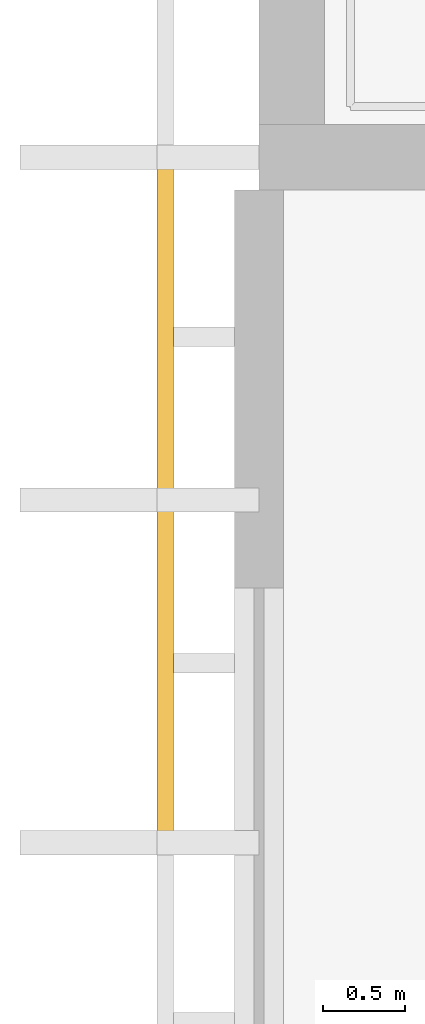
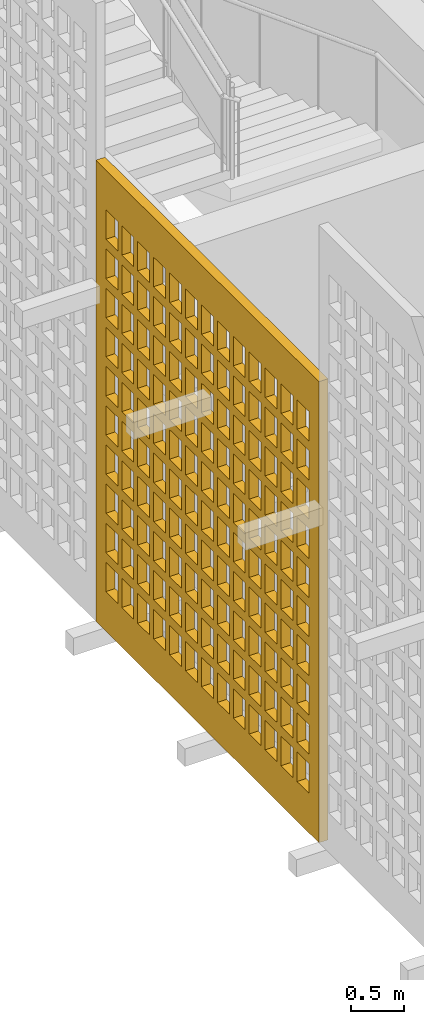
# One storey, part 8 of 23: 1 shading device, 1 opening.
"""IFC4 building model written with IfcOpenShell, lengths in metres."""

import ifcopenshell
import ifcopenshell.guid

model = None  # the IFC model being written
_history = None  # IfcOwnerHistory: only IFC2X3 demands one
_inside = {}  # id of a spatial element -> (the spatial element, [elements in it])
_under = {}  # id of a project, library or spatial element -> (it, [spatial elements below it])
_declared = {}  # id of a project -> (the project, [libraries it declares])
_typed = {}  # id of a type object -> (the type object, [elements of that type])
_made_of = {}  # id of a material, layer set ... -> (it, [elements and type objects made of it])


def new_model(schema):
    """Start an empty IFC model of exactly this schema.

    Asked for "IFC4X3", IfcOpenShell would pick the latest addendum, in which some entities
    have other attributes; the version numbers below select the first issue.
    IFC2X3 requires an IfcOwnerHistory on every rooted entity: one is made here for all.
    """
    global model, _history
    if schema == "IFC4X3":
        model = ifcopenshell.file(schema_version=(4, 3, 0, 0))
    else:
        model = ifcopenshell.file(schema=schema)
    _inside.clear()
    _under.clear()
    _declared.clear()
    _typed.clear()
    _made_of.clear()
    _history = None
    if model.schema == "IFC2X3":
        org = make("IfcOrganization", Name="unknown")
        user = make(
            "IfcPersonAndOrganization",
            ThePerson=make("IfcPerson", FamilyName="unknown"),
            TheOrganization=org,
        )
        app = make(
            "IfcApplication",
            ApplicationDeveloper=org,
            Version="unknown",
            ApplicationFullName="unknown",
            ApplicationIdentifier="unknown",
        )
        _history = make(
            "IfcOwnerHistory",
            OwningUser=user,
            OwningApplication=app,
            ChangeAction="ADDED",
            CreationDate=0,
        )
    return model


def make(cls, **values):
    """One entity of the class cls with the attributes given. An attribute that is None is left unset."""
    return model.create_entity(
        cls, **{name: value for name, value in values.items() if value is not None}
    )


def rooted(cls, **values):
    """An entity with a GlobalId (a new one), such as an element, a storey or a relation."""
    return make(cls, GlobalId=ifcopenshell.guid.new(), OwnerHistory=_history, **values)


def si_unit(unit_type, name, prefix=None):
    """IfcSIUnit, for example si_unit("LENGTHUNIT", "METRE", prefix="MILLI")."""
    return make("IfcSIUnit", UnitType=unit_type, Prefix=prefix, Name=name)


def assignment(units):
    """IfcUnitAssignment: the units of a project."""
    return None if units is None else make("IfcUnitAssignment", Units=units)


def point(xyz):
    """IfcCartesianPoint."""
    return None if xyz is None else make("IfcCartesianPoint", Coordinates=xyz)


def direction(xyz):
    """IfcDirection."""
    return None if xyz is None else make("IfcDirection", DirectionRatios=xyz)


def frame(location, z_axis=None, x_axis=None):
    """IfcAxis2Placement3D, a coordinate frame: its origin and axes. An axis left out is left unset."""
    return make(
        "IfcAxis2Placement3D",
        Location=point(location),
        Axis=direction(z_axis),
        RefDirection=direction(x_axis),
    )


def frame_2d(location, x_axis=None):
    """IfcAxis2Placement2D, a coordinate frame in the plane: its origin and x axis."""
    return make(
        "IfcAxis2Placement2D", Location=point(location), RefDirection=direction(x_axis)
    )


def origin():
    """The frame at (0, 0, 0) with its axes left unset."""
    return frame((0.0, 0.0, 0.0))


def origin_2d():
    """The frame at (0, 0) in the plane with its x axis left unset."""
    return frame_2d((0.0, 0.0))


def place(relative_to, where):
    """IfcLocalPlacement: puts the frame where relative to a parent placement (None: the world)."""
    return make(
        "IfcLocalPlacement", PlacementRelTo=relative_to, RelativePlacement=where
    )


def context(
    kind, dimensions, precision=None, world=None, true_north=None, identifier=None
):
    """IfcGeometricRepresentationContext, for example the 3D "Model" context."""
    return make(
        "IfcGeometricRepresentationContext",
        ContextIdentifier=identifier,
        ContextType=kind,
        CoordinateSpaceDimension=dimensions,
        Precision=precision,
        WorldCoordinateSystem=world,
        TrueNorth=true_north,
    )


def subcontext(parent, identifier, kind, view, scale=None):
    """IfcGeometricRepresentationSubContext, for example "Body" below "Model"."""
    return make(
        "IfcGeometricRepresentationSubContext",
        ContextIdentifier=identifier,
        ContextType=kind,
        ParentContext=parent,
        TargetScale=scale,
        TargetView=view,
    )


def project(units=None, contexts=None):
    """IfcProject with its units and contexts."""
    return rooted(
        "IfcProject",
        Name="project",
        RepresentationContexts=contexts,
        UnitsInContext=assignment(units),
    )


def spatial(cls, under=None, at=None, **own):
    """A site, building, storey or space (cls), placed at a placement, below another one or the project."""
    s = rooted(cls, ObjectPlacement=at, **own)
    if under is not None:
        _under.setdefault(under.id(), (under, []))[1].append(s)
    return s


def profile(cls, at=None, kind="AREA", **sizes):
    """A parametric profile (cls). Its sizes go by their IFC names, for example OverallWidth=200.0."""
    return make(cls, ProfileType=kind, Position=at, **sizes)


def rectangle(**sizes):
    """IfcRectangleProfileDef."""
    return profile("IfcRectangleProfileDef", **sizes)


def extrude(swept, where, along, depth):
    """IfcExtrudedAreaSolid: the profile swept, set in the frame where, extruded along a direction by depth."""
    return make(
        "IfcExtrudedAreaSolid",
        SweptArea=swept,
        Position=where,
        ExtrudedDirection=direction(along),
        Depth=depth,
    )


def shape(context_of_items, identifier, shape_type, items):
    """IfcShapeRepresentation: the items that make up one representation, for example the "Body"."""
    return make(
        "IfcShapeRepresentation",
        ContextOfItems=context_of_items,
        RepresentationIdentifier=identifier,
        RepresentationType=shape_type,
        Items=items,
    )


def material(Name=None, Category=None):
    """IfcMaterial."""
    return make("IfcMaterial", Name=Name, Category=Category)


def layer(
    of_material, thickness, ventilated=None, Name=None, Category=None, Priority=None
):
    """IfcMaterialLayer: one layer of a wall or slab, of a material (None: an air gap)."""
    return make(
        "IfcMaterialLayer",
        Material=of_material,
        LayerThickness=thickness,
        IsVentilated=ventilated,
        Name=Name,
        Category=Category,
        Priority=Priority,
    )


def layer_set(layers, Name=None):
    """IfcMaterialLayerSet."""
    return make("IfcMaterialLayerSet", MaterialLayers=layers, LayerSetName=Name)


def made_of(thing, what):
    """Note that an element or type object is made of a material, layer set ...; save() writes the relation."""
    if what is not None:
        _made_of.setdefault(what.id(), (what, []))[1].append(thing)
    return thing


def type_object(cls, material=None, **own):
    """A type object (cls), such as IfcWallType, which elements share."""
    return made_of(rooted(cls, **own), material)


def element(
    cls,
    number,
    at=None,
    inside=None,
    cuts=None,
    type_object=None,
    material=None,
    context=None,
    identifier="Body",
    shape_type=None,
    held_by="IfcProductDefinitionShape",
    body=None,
    shapes=None,
    **own,
):
    """One element of the class cls, such as IfcWall. Its Tag is "e" and its number.

    at: its placement. inside: the storey or other place that contains it. cuts: it is an
    opening in that element (IfcRelVoidsElement). A single representation is given by context,
    identifier, shape_type and body (its items); several are given by shapes. held_by: the class
    of the entity that holds the representations. save() writes the other relations.
    """
    e = rooted(cls, Tag="e%d" % number, ObjectPlacement=at, **own)
    if body is not None:
        shapes = [shape(context, identifier, shape_type, body)]
    if shapes is not None:
        e.Representation = make(held_by, Representations=shapes)
    if inside is not None:
        _inside.setdefault(inside.id(), (inside, []))[1].append(e)
    if cuts is not None:
        rooted(
            "IfcRelVoidsElement", RelatingBuildingElement=cuts, RelatedOpeningElement=e
        )
    if type_object is not None:
        _typed.setdefault(type_object.id(), (type_object, []))[1].append(e)
    return made_of(e, material)


def aggregate(whole, parts):
    """IfcRelAggregates: a whole, such as a stair, and the parts it consists of."""
    return rooted("IfcRelAggregates", RelatingObject=whole, RelatedObjects=parts)


def save(model, path):
    """Write the relations noted so far, then the file.

    IfcRelAggregates (storeys below a building ...), IfcRelContainedInSpatialStructure (elements
    in a storey), IfcRelDefinesByType, IfcRelAssociatesMaterial and IfcRelDeclares: one each for
    every whole, place, type object, material and project.
    """
    for whole, parts in _under.values():
        aggregate(whole, parts)
    for where, things in _inside.values():
        rooted(
            "IfcRelContainedInSpatialStructure",
            RelatedElements=things,
            RelatingStructure=where,
        )
    for kind, things in _typed.values():
        rooted("IfcRelDefinesByType", RelatedObjects=things, RelatingType=kind)
    for what, things in _made_of.values():
        rooted("IfcRelAssociatesMaterial", RelatedObjects=things, RelatingMaterial=what)
    for by, libraries in _declared.values():
        rooted("IfcRelDeclares", RelatingContext=by, RelatedDefinitions=libraries)
    model.write(path)


model = new_model("IFC4")

# Units and contexts
model_context = context("Model", 3, precision=1e-05, world=origin(), true_north=direction((0.0, 1.0)))
body_context = subcontext(model_context, "Body", "Model", "MODEL_VIEW")
ifc_project = project(units=[si_unit("LENGTHUNIT", "METRE"), si_unit("AREAUNIT", "SQUARE_METRE"), si_unit("VOLUMEUNIT", "CUBIC_METRE"), si_unit("PLANEANGLEUNIT", "RADIAN"), si_unit("MASSUNIT", "GRAM", prefix="KILO")], contexts=[model_context])

# Site, building, storey
site_placement = place(None, origin())
site = spatial("IfcSite", under=ifc_project, at=site_placement, CompositionType="ELEMENT")
building_placement = place(site_placement, origin())
building = spatial("IfcBuilding", under=site, at=building_placement, Name="Rulbaag Community and Learning Centre", CompositionType="ELEMENT")
storey_placement = place(building_placement, frame((0.0, 0.0, 64.800048828125)))
storey = spatial("IfcBuildingStorey", under=building, at=storey_placement, Name="L17", CompositionType="ELEMENT", Elevation=64.800048828125)

# Shading device, opening
ifc_material = material(Name="Concrete M40", Category="concrete")
ifc_layer = layer(ifc_material, 0.10009765625)
ifc_layer_set = layer_set([ifc_layer], Name="JC-4")
shading_device_type = type_object("IfcShadingDeviceType", Name="JC-4", PredefinedType="SHUTTER", material=ifc_layer_set)
shading_device_placement = place(storey_placement, frame((142.22509765625, 90.300048828125, 0.0), z_axis=(0.0, 0.0, 1.0), x_axis=(1.0, 0.0, 0.0)))
shading_device = element("IfcShadingDevice", 1, at=shading_device_placement, inside=storey, type_object=shading_device_type, Name="Jaali lantern screen", PredefinedType="SHUTTER", context=body_context, shape_type="SweptSolid", body=[
    extrude(rectangle(XDim=0.10009765625, YDim=4.199951171875, at=origin_2d()), origin(), (0.0, 0.0, 1.0), 5.300048828125),
])
opening_placement = place(shading_device_placement, origin())
element("IfcOpeningElement", 2, at=opening_placement, cuts=shading_device, Name="Perforation JC4", PredefinedType="OPENING", context=body_context, shape_type="SweptSolid", body=[
    extrude(rectangle(XDim=0.22509765625, YDim=0.340087890625, at=origin_2d()), frame((-0.06005859375, -1.800048828125, 0.625), z_axis=(1.0, 0.0, 0.0), x_axis=(0.0, 1.0, 0.0)), (0.0, 0.0, 1.0), 0.1201171875),
    extrude(rectangle(XDim=0.22509765625, YDim=0.340087890625, at=origin_2d()), frame((-0.06005859375, -1.5, 0.625), z_axis=(1.0, 0.0, 0.0), x_axis=(0.0, 1.0, 0.0)), (0.0, 0.0, 1.0), 0.1201171875),
    extrude(rectangle(XDim=0.22509765625, YDim=0.340087890625, at=origin_2d()), frame((-0.06005859375, -1.199951171875, 0.625), z_axis=(1.0, 0.0, 0.0), x_axis=(0.0, 1.0, 0.0)), (0.0, 0.0, 1.0), 0.1201171875),
    extrude(rectangle(XDim=0.22509765625, YDim=0.340087890625, at=origin_2d()), frame((-0.06005859375, -0.89990234375, 0.625), z_axis=(1.0, 0.0, 0.0), x_axis=(0.0, 1.0, 0.0)), (0.0, 0.0, 1.0), 0.1201171875),
    extrude(rectangle(XDim=0.22509765625, YDim=0.340087890625, at=origin_2d()), frame((-0.06005859375, -0.60009765625, 0.625), z_axis=(1.0, 0.0, 0.0), x_axis=(0.0, 1.0, 0.0)), (0.0, 0.0, 1.0), 0.1201171875),
    extrude(rectangle(XDim=0.22509765625, YDim=0.340087890625, at=origin_2d()), frame((-0.06005859375, -0.300048828125, 0.625), z_axis=(1.0, 0.0, 0.0), x_axis=(0.0, 1.0, 0.0)), (0.0, 0.0, 1.0), 0.1201171875),
    extrude(rectangle(XDim=0.22509765625, YDim=0.340087890625, at=origin_2d()), frame((-0.06005859375, 0.0, 0.625), z_axis=(1.0, 0.0, 0.0), x_axis=(0.0, 1.0, 0.0)), (0.0, 0.0, 1.0), 0.1201171875),
    extrude(rectangle(XDim=0.22509765625, YDim=0.340087890625, at=origin_2d()), frame((-0.06005859375, 0.300048828125, 0.625), z_axis=(1.0, 0.0, 0.0), x_axis=(0.0, 1.0, 0.0)), (0.0, 0.0, 1.0), 0.1201171875),
    extrude(rectangle(XDim=0.22509765625, YDim=0.340087890625, at=origin_2d()), frame((-0.06005859375, 0.60009765625, 0.625), z_axis=(1.0, 0.0, 0.0), x_axis=(0.0, 1.0, 0.0)), (0.0, 0.0, 1.0), 0.1201171875),
    extrude(rectangle(XDim=0.22509765625, YDim=0.340087890625, at=origin_2d()), frame((-0.06005859375, 0.89990234375, 0.625), z_axis=(1.0, 0.0, 0.0), x_axis=(0.0, 1.0, 0.0)), (0.0, 0.0, 1.0), 0.1201171875),
    extrude(rectangle(XDim=0.22509765625, YDim=0.340087890625, at=origin_2d()), frame((-0.06005859375, 1.199951171875, 0.625), z_axis=(1.0, 0.0, 0.0), x_axis=(0.0, 1.0, 0.0)), (0.0, 0.0, 1.0), 0.1201171875),
    extrude(rectangle(XDim=0.22509765625, YDim=0.340087890625, at=origin_2d()), frame((-0.06005859375, 1.5, 0.625), z_axis=(1.0, 0.0, 0.0), x_axis=(0.0, 1.0, 0.0)), (0.0, 0.0, 1.0), 0.1201171875),
    extrude(rectangle(XDim=0.22509765625, YDim=0.340087890625, at=origin_2d()), frame((-0.06005859375, 1.800048828125, 0.625), z_axis=(1.0, 0.0, 0.0), x_axis=(0.0, 1.0, 0.0)), (0.0, 0.0, 1.0), 0.1201171875),
    extrude(rectangle(XDim=0.22509765625, YDim=0.340087890625, at=origin_2d()), frame((-0.06005859375, -1.800048828125, 1.074951171875), z_axis=(1.0, 0.0, 0.0), x_axis=(0.0, 1.0, 0.0)), (0.0, 0.0, 1.0), 0.1201171875),
    extrude(rectangle(XDim=0.22509765625, YDim=0.340087890625, at=origin_2d()), frame((-0.06005859375, -1.5, 1.074951171875), z_axis=(1.0, 0.0, 0.0), x_axis=(0.0, 1.0, 0.0)), (0.0, 0.0, 1.0), 0.1201171875),
    extrude(rectangle(XDim=0.22509765625, YDim=0.340087890625, at=origin_2d()), frame((-0.06005859375, -1.199951171875, 1.074951171875), z_axis=(1.0, 0.0, 0.0), x_axis=(0.0, 1.0, 0.0)), (0.0, 0.0, 1.0), 0.1201171875),
    extrude(rectangle(XDim=0.22509765625, YDim=0.340087890625, at=origin_2d()), frame((-0.06005859375, -0.89990234375, 1.074951171875), z_axis=(1.0, 0.0, 0.0), x_axis=(0.0, 1.0, 0.0)), (0.0, 0.0, 1.0), 0.1201171875),
    extrude(rectangle(XDim=0.22509765625, YDim=0.340087890625, at=origin_2d()), frame((-0.06005859375, -0.60009765625, 1.074951171875), z_axis=(1.0, 0.0, 0.0), x_axis=(0.0, 1.0, 0.0)), (0.0, 0.0, 1.0), 0.1201171875),
    extrude(rectangle(XDim=0.22509765625, YDim=0.340087890625, at=origin_2d()), frame((-0.06005859375, -0.300048828125, 1.074951171875), z_axis=(1.0, 0.0, 0.0), x_axis=(0.0, 1.0, 0.0)), (0.0, 0.0, 1.0), 0.1201171875),
    extrude(rectangle(XDim=0.22509765625, YDim=0.340087890625, at=origin_2d()), frame((-0.06005859375, 0.0, 1.074951171875), z_axis=(1.0, 0.0, 0.0), x_axis=(0.0, 1.0, 0.0)), (0.0, 0.0, 1.0), 0.1201171875),
    extrude(rectangle(XDim=0.22509765625, YDim=0.340087890625, at=origin_2d()), frame((-0.06005859375, 0.300048828125, 1.074951171875), z_axis=(1.0, 0.0, 0.0), x_axis=(0.0, 1.0, 0.0)), (0.0, 0.0, 1.0), 0.1201171875),
    extrude(rectangle(XDim=0.22509765625, YDim=0.340087890625, at=origin_2d()), frame((-0.06005859375, 0.60009765625, 1.074951171875), z_axis=(1.0, 0.0, 0.0), x_axis=(0.0, 1.0, 0.0)), (0.0, 0.0, 1.0), 0.1201171875),
    extrude(rectangle(XDim=0.22509765625, YDim=0.340087890625, at=origin_2d()), frame((-0.06005859375, 0.89990234375, 1.074951171875), z_axis=(1.0, 0.0, 0.0), x_axis=(0.0, 1.0, 0.0)), (0.0, 0.0, 1.0), 0.1201171875),
    extrude(rectangle(XDim=0.22509765625, YDim=0.340087890625, at=origin_2d()), frame((-0.06005859375, 1.199951171875, 1.074951171875), z_axis=(1.0, 0.0, 0.0), x_axis=(0.0, 1.0, 0.0)), (0.0, 0.0, 1.0), 0.1201171875),
    extrude(rectangle(XDim=0.22509765625, YDim=0.340087890625, at=origin_2d()), frame((-0.06005859375, 1.5, 1.074951171875), z_axis=(1.0, 0.0, 0.0), x_axis=(0.0, 1.0, 0.0)), (0.0, 0.0, 1.0), 0.1201171875),
    extrude(rectangle(XDim=0.22509765625, YDim=0.340087890625, at=origin_2d()), frame((-0.06005859375, 1.800048828125, 1.074951171875), z_axis=(1.0, 0.0, 0.0), x_axis=(0.0, 1.0, 0.0)), (0.0, 0.0, 1.0), 0.1201171875),
    extrude(rectangle(XDim=0.22509765625, YDim=0.340087890625, at=origin_2d()), frame((-0.06005859375, -1.800048828125, 1.52490234375), z_axis=(1.0, 0.0, 0.0), x_axis=(0.0, 1.0, 0.0)), (0.0, 0.0, 1.0), 0.1201171875),
    extrude(rectangle(XDim=0.22509765625, YDim=0.340087890625, at=origin_2d()), frame((-0.06005859375, -1.5, 1.52490234375), z_axis=(1.0, 0.0, 0.0), x_axis=(0.0, 1.0, 0.0)), (0.0, 0.0, 1.0), 0.1201171875),
    extrude(rectangle(XDim=0.22509765625, YDim=0.340087890625, at=origin_2d()), frame((-0.06005859375, -1.199951171875, 1.52490234375), z_axis=(1.0, 0.0, 0.0), x_axis=(0.0, 1.0, 0.0)), (0.0, 0.0, 1.0), 0.1201171875),
    extrude(rectangle(XDim=0.22509765625, YDim=0.340087890625, at=origin_2d()), frame((-0.06005859375, -0.89990234375, 1.52490234375), z_axis=(1.0, 0.0, 0.0), x_axis=(0.0, 1.0, 0.0)), (0.0, 0.0, 1.0), 0.1201171875),
    extrude(rectangle(XDim=0.22509765625, YDim=0.340087890625, at=origin_2d()), frame((-0.06005859375, -0.60009765625, 1.52490234375), z_axis=(1.0, 0.0, 0.0), x_axis=(0.0, 1.0, 0.0)), (0.0, 0.0, 1.0), 0.1201171875),
    extrude(rectangle(XDim=0.22509765625, YDim=0.340087890625, at=origin_2d()), frame((-0.06005859375, -0.300048828125, 1.52490234375), z_axis=(1.0, 0.0, 0.0), x_axis=(0.0, 1.0, 0.0)), (0.0, 0.0, 1.0), 0.1201171875),
    extrude(rectangle(XDim=0.22509765625, YDim=0.340087890625, at=origin_2d()), frame((-0.06005859375, 0.0, 1.52490234375), z_axis=(1.0, 0.0, 0.0), x_axis=(0.0, 1.0, 0.0)), (0.0, 0.0, 1.0), 0.1201171875),
    extrude(rectangle(XDim=0.22509765625, YDim=0.340087890625, at=origin_2d()), frame((-0.06005859375, 0.300048828125, 1.52490234375), z_axis=(1.0, 0.0, 0.0), x_axis=(0.0, 1.0, 0.0)), (0.0, 0.0, 1.0), 0.1201171875),
    extrude(rectangle(XDim=0.22509765625, YDim=0.340087890625, at=origin_2d()), frame((-0.06005859375, 0.60009765625, 1.52490234375), z_axis=(1.0, 0.0, 0.0), x_axis=(0.0, 1.0, 0.0)), (0.0, 0.0, 1.0), 0.1201171875),
    extrude(rectangle(XDim=0.22509765625, YDim=0.340087890625, at=origin_2d()), frame((-0.06005859375, 0.89990234375, 1.52490234375), z_axis=(1.0, 0.0, 0.0), x_axis=(0.0, 1.0, 0.0)), (0.0, 0.0, 1.0), 0.1201171875),
    extrude(rectangle(XDim=0.22509765625, YDim=0.340087890625, at=origin_2d()), frame((-0.06005859375, 1.199951171875, 1.52490234375), z_axis=(1.0, 0.0, 0.0), x_axis=(0.0, 1.0, 0.0)), (0.0, 0.0, 1.0), 0.1201171875),
    extrude(rectangle(XDim=0.22509765625, YDim=0.340087890625, at=origin_2d()), frame((-0.06005859375, 1.5, 1.52490234375), z_axis=(1.0, 0.0, 0.0), x_axis=(0.0, 1.0, 0.0)), (0.0, 0.0, 1.0), 0.1201171875),
    extrude(rectangle(XDim=0.22509765625, YDim=0.340087890625, at=origin_2d()), frame((-0.06005859375, 1.800048828125, 1.52490234375), z_axis=(1.0, 0.0, 0.0), x_axis=(0.0, 1.0, 0.0)), (0.0, 0.0, 1.0), 0.1201171875),
    extrude(rectangle(XDim=0.22509765625, YDim=0.340087890625, at=origin_2d()), frame((-0.06005859375, -1.800048828125, 1.97509765625), z_axis=(1.0, 0.0, 0.0), x_axis=(0.0, 1.0, 0.0)), (0.0, 0.0, 1.0), 0.1201171875),
    extrude(rectangle(XDim=0.22509765625, YDim=0.340087890625, at=origin_2d()), frame((-0.06005859375, -1.5, 1.97509765625), z_axis=(1.0, 0.0, 0.0), x_axis=(0.0, 1.0, 0.0)), (0.0, 0.0, 1.0), 0.1201171875),
    extrude(rectangle(XDim=0.22509765625, YDim=0.340087890625, at=origin_2d()), frame((-0.06005859375, -1.199951171875, 1.97509765625), z_axis=(1.0, 0.0, 0.0), x_axis=(0.0, 1.0, 0.0)), (0.0, 0.0, 1.0), 0.1201171875),
    extrude(rectangle(XDim=0.22509765625, YDim=0.340087890625, at=origin_2d()), frame((-0.06005859375, -0.89990234375, 1.97509765625), z_axis=(1.0, 0.0, 0.0), x_axis=(0.0, 1.0, 0.0)), (0.0, 0.0, 1.0), 0.1201171875),
    extrude(rectangle(XDim=0.22509765625, YDim=0.340087890625, at=origin_2d()), frame((-0.06005859375, -0.60009765625, 1.97509765625), z_axis=(1.0, 0.0, 0.0), x_axis=(0.0, 1.0, 0.0)), (0.0, 0.0, 1.0), 0.1201171875),
    extrude(rectangle(XDim=0.22509765625, YDim=0.340087890625, at=origin_2d()), frame((-0.06005859375, -0.300048828125, 1.97509765625), z_axis=(1.0, 0.0, 0.0), x_axis=(0.0, 1.0, 0.0)), (0.0, 0.0, 1.0), 0.1201171875),
    extrude(rectangle(XDim=0.22509765625, YDim=0.340087890625, at=origin_2d()), frame((-0.06005859375, 0.0, 1.97509765625), z_axis=(1.0, 0.0, 0.0), x_axis=(0.0, 1.0, 0.0)), (0.0, 0.0, 1.0), 0.1201171875),
    extrude(rectangle(XDim=0.22509765625, YDim=0.340087890625, at=origin_2d()), frame((-0.06005859375, 0.300048828125, 1.97509765625), z_axis=(1.0, 0.0, 0.0), x_axis=(0.0, 1.0, 0.0)), (0.0, 0.0, 1.0), 0.1201171875),
    extrude(rectangle(XDim=0.22509765625, YDim=0.340087890625, at=origin_2d()), frame((-0.06005859375, 0.60009765625, 1.97509765625), z_axis=(1.0, 0.0, 0.0), x_axis=(0.0, 1.0, 0.0)), (0.0, 0.0, 1.0), 0.1201171875),
    extrude(rectangle(XDim=0.22509765625, YDim=0.340087890625, at=origin_2d()), frame((-0.06005859375, 0.89990234375, 1.97509765625), z_axis=(1.0, 0.0, 0.0), x_axis=(0.0, 1.0, 0.0)), (0.0, 0.0, 1.0), 0.1201171875),
    extrude(rectangle(XDim=0.22509765625, YDim=0.340087890625, at=origin_2d()), frame((-0.06005859375, 1.199951171875, 1.97509765625), z_axis=(1.0, 0.0, 0.0), x_axis=(0.0, 1.0, 0.0)), (0.0, 0.0, 1.0), 0.1201171875),
    extrude(rectangle(XDim=0.22509765625, YDim=0.340087890625, at=origin_2d()), frame((-0.06005859375, 1.5, 1.97509765625), z_axis=(1.0, 0.0, 0.0), x_axis=(0.0, 1.0, 0.0)), (0.0, 0.0, 1.0), 0.1201171875),
    extrude(rectangle(XDim=0.22509765625, YDim=0.340087890625, at=origin_2d()), frame((-0.06005859375, 1.800048828125, 1.97509765625), z_axis=(1.0, 0.0, 0.0), x_axis=(0.0, 1.0, 0.0)), (0.0, 0.0, 1.0), 0.1201171875),
    extrude(rectangle(XDim=0.22509765625, YDim=0.340087890625, at=origin_2d()), frame((-0.06005859375, -1.800048828125, 2.425048828125), z_axis=(1.0, 0.0, 0.0), x_axis=(0.0, 1.0, 0.0)), (0.0, 0.0, 1.0), 0.1201171875),
    extrude(rectangle(XDim=0.22509765625, YDim=0.340087890625, at=origin_2d()), frame((-0.06005859375, -1.5, 2.425048828125), z_axis=(1.0, 0.0, 0.0), x_axis=(0.0, 1.0, 0.0)), (0.0, 0.0, 1.0), 0.1201171875),
    extrude(rectangle(XDim=0.22509765625, YDim=0.340087890625, at=origin_2d()), frame((-0.06005859375, -1.199951171875, 2.425048828125), z_axis=(1.0, 0.0, 0.0), x_axis=(0.0, 1.0, 0.0)), (0.0, 0.0, 1.0), 0.1201171875),
    extrude(rectangle(XDim=0.22509765625, YDim=0.340087890625, at=origin_2d()), frame((-0.06005859375, -0.89990234375, 2.425048828125), z_axis=(1.0, 0.0, 0.0), x_axis=(0.0, 1.0, 0.0)), (0.0, 0.0, 1.0), 0.1201171875),
    extrude(rectangle(XDim=0.22509765625, YDim=0.340087890625, at=origin_2d()), frame((-0.06005859375, -0.60009765625, 2.425048828125), z_axis=(1.0, 0.0, 0.0), x_axis=(0.0, 1.0, 0.0)), (0.0, 0.0, 1.0), 0.1201171875),
    extrude(rectangle(XDim=0.22509765625, YDim=0.340087890625, at=origin_2d()), frame((-0.06005859375, -0.300048828125, 2.425048828125), z_axis=(1.0, 0.0, 0.0), x_axis=(0.0, 1.0, 0.0)), (0.0, 0.0, 1.0), 0.1201171875),
    extrude(rectangle(XDim=0.22509765625, YDim=0.340087890625, at=origin_2d()), frame((-0.06005859375, 0.0, 2.425048828125), z_axis=(1.0, 0.0, 0.0), x_axis=(0.0, 1.0, 0.0)), (0.0, 0.0, 1.0), 0.1201171875),
    extrude(rectangle(XDim=0.22509765625, YDim=0.340087890625, at=origin_2d()), frame((-0.06005859375, 0.300048828125, 2.425048828125), z_axis=(1.0, 0.0, 0.0), x_axis=(0.0, 1.0, 0.0)), (0.0, 0.0, 1.0), 0.1201171875),
    extrude(rectangle(XDim=0.22509765625, YDim=0.340087890625, at=origin_2d()), frame((-0.06005859375, 0.60009765625, 2.425048828125), z_axis=(1.0, 0.0, 0.0), x_axis=(0.0, 1.0, 0.0)), (0.0, 0.0, 1.0), 0.1201171875),
    extrude(rectangle(XDim=0.22509765625, YDim=0.340087890625, at=origin_2d()), frame((-0.06005859375, 0.89990234375, 2.425048828125), z_axis=(1.0, 0.0, 0.0), x_axis=(0.0, 1.0, 0.0)), (0.0, 0.0, 1.0), 0.1201171875),
    extrude(rectangle(XDim=0.22509765625, YDim=0.340087890625, at=origin_2d()), frame((-0.06005859375, 1.199951171875, 2.425048828125), z_axis=(1.0, 0.0, 0.0), x_axis=(0.0, 1.0, 0.0)), (0.0, 0.0, 1.0), 0.1201171875),
    extrude(rectangle(XDim=0.22509765625, YDim=0.340087890625, at=origin_2d()), frame((-0.06005859375, 1.5, 2.425048828125), z_axis=(1.0, 0.0, 0.0), x_axis=(0.0, 1.0, 0.0)), (0.0, 0.0, 1.0), 0.1201171875),
    extrude(rectangle(XDim=0.22509765625, YDim=0.340087890625, at=origin_2d()), frame((-0.06005859375, 1.800048828125, 2.425048828125), z_axis=(1.0, 0.0, 0.0), x_axis=(0.0, 1.0, 0.0)), (0.0, 0.0, 1.0), 0.1201171875),
    extrude(rectangle(XDim=0.22509765625, YDim=0.340087890625, at=origin_2d()), frame((-0.06005859375, -1.800048828125, 2.875), z_axis=(1.0, 0.0, 0.0), x_axis=(0.0, 1.0, 0.0)), (0.0, 0.0, 1.0), 0.1201171875),
    extrude(rectangle(XDim=0.22509765625, YDim=0.340087890625, at=origin_2d()), frame((-0.06005859375, -1.5, 2.875), z_axis=(1.0, 0.0, 0.0), x_axis=(0.0, 1.0, 0.0)), (0.0, 0.0, 1.0), 0.1201171875),
    extrude(rectangle(XDim=0.22509765625, YDim=0.340087890625, at=origin_2d()), frame((-0.06005859375, -1.199951171875, 2.875), z_axis=(1.0, 0.0, 0.0), x_axis=(0.0, 1.0, 0.0)), (0.0, 0.0, 1.0), 0.1201171875),
    extrude(rectangle(XDim=0.22509765625, YDim=0.340087890625, at=origin_2d()), frame((-0.06005859375, -0.89990234375, 2.875), z_axis=(1.0, 0.0, 0.0), x_axis=(0.0, 1.0, 0.0)), (0.0, 0.0, 1.0), 0.1201171875),
    extrude(rectangle(XDim=0.22509765625, YDim=0.340087890625, at=origin_2d()), frame((-0.06005859375, -0.60009765625, 2.875), z_axis=(1.0, 0.0, 0.0), x_axis=(0.0, 1.0, 0.0)), (0.0, 0.0, 1.0), 0.1201171875),
    extrude(rectangle(XDim=0.22509765625, YDim=0.340087890625, at=origin_2d()), frame((-0.06005859375, -0.300048828125, 2.875), z_axis=(1.0, 0.0, 0.0), x_axis=(0.0, 1.0, 0.0)), (0.0, 0.0, 1.0), 0.1201171875),
    extrude(rectangle(XDim=0.22509765625, YDim=0.340087890625, at=origin_2d()), frame((-0.06005859375, 0.0, 2.875), z_axis=(1.0, 0.0, 0.0), x_axis=(0.0, 1.0, 0.0)), (0.0, 0.0, 1.0), 0.1201171875),
    extrude(rectangle(XDim=0.22509765625, YDim=0.340087890625, at=origin_2d()), frame((-0.06005859375, 0.300048828125, 2.875), z_axis=(1.0, 0.0, 0.0), x_axis=(0.0, 1.0, 0.0)), (0.0, 0.0, 1.0), 0.1201171875),
    extrude(rectangle(XDim=0.22509765625, YDim=0.340087890625, at=origin_2d()), frame((-0.06005859375, 0.60009765625, 2.875), z_axis=(1.0, 0.0, 0.0), x_axis=(0.0, 1.0, 0.0)), (0.0, 0.0, 1.0), 0.1201171875),
    extrude(rectangle(XDim=0.22509765625, YDim=0.340087890625, at=origin_2d()), frame((-0.06005859375, 0.89990234375, 2.875), z_axis=(1.0, 0.0, 0.0), x_axis=(0.0, 1.0, 0.0)), (0.0, 0.0, 1.0), 0.1201171875),
    extrude(rectangle(XDim=0.22509765625, YDim=0.340087890625, at=origin_2d()), frame((-0.06005859375, 1.199951171875, 2.875), z_axis=(1.0, 0.0, 0.0), x_axis=(0.0, 1.0, 0.0)), (0.0, 0.0, 1.0), 0.1201171875),
    extrude(rectangle(XDim=0.22509765625, YDim=0.340087890625, at=origin_2d()), frame((-0.06005859375, 1.5, 2.875), z_axis=(1.0, 0.0, 0.0), x_axis=(0.0, 1.0, 0.0)), (0.0, 0.0, 1.0), 0.1201171875),
    extrude(rectangle(XDim=0.22509765625, YDim=0.340087890625, at=origin_2d()), frame((-0.06005859375, 1.800048828125, 2.875), z_axis=(1.0, 0.0, 0.0), x_axis=(0.0, 1.0, 0.0)), (0.0, 0.0, 1.0), 0.1201171875),
    extrude(rectangle(XDim=0.22509765625, YDim=0.340087890625, at=origin_2d()), frame((-0.06005859375, -1.800048828125, 3.324951171875), z_axis=(1.0, 0.0, 0.0), x_axis=(0.0, 1.0, 0.0)), (0.0, 0.0, 1.0), 0.1201171875),
    extrude(rectangle(XDim=0.22509765625, YDim=0.340087890625, at=origin_2d()), frame((-0.06005859375, -1.5, 3.324951171875), z_axis=(1.0, 0.0, 0.0), x_axis=(0.0, 1.0, 0.0)), (0.0, 0.0, 1.0), 0.1201171875),
    extrude(rectangle(XDim=0.22509765625, YDim=0.340087890625, at=origin_2d()), frame((-0.06005859375, -1.199951171875, 3.324951171875), z_axis=(1.0, 0.0, 0.0), x_axis=(0.0, 1.0, 0.0)), (0.0, 0.0, 1.0), 0.1201171875),
    extrude(rectangle(XDim=0.22509765625, YDim=0.340087890625, at=origin_2d()), frame((-0.06005859375, -0.89990234375, 3.324951171875), z_axis=(1.0, 0.0, 0.0), x_axis=(0.0, 1.0, 0.0)), (0.0, 0.0, 1.0), 0.1201171875),
    extrude(rectangle(XDim=0.22509765625, YDim=0.340087890625, at=origin_2d()), frame((-0.06005859375, -0.60009765625, 3.324951171875), z_axis=(1.0, 0.0, 0.0), x_axis=(0.0, 1.0, 0.0)), (0.0, 0.0, 1.0), 0.1201171875),
    extrude(rectangle(XDim=0.22509765625, YDim=0.340087890625, at=origin_2d()), frame((-0.06005859375, -0.300048828125, 3.324951171875), z_axis=(1.0, 0.0, 0.0), x_axis=(0.0, 1.0, 0.0)), (0.0, 0.0, 1.0), 0.1201171875),
    extrude(rectangle(XDim=0.22509765625, YDim=0.340087890625, at=origin_2d()), frame((-0.06005859375, 0.0, 3.324951171875), z_axis=(1.0, 0.0, 0.0), x_axis=(0.0, 1.0, 0.0)), (0.0, 0.0, 1.0), 0.1201171875),
    extrude(rectangle(XDim=0.22509765625, YDim=0.340087890625, at=origin_2d()), frame((-0.06005859375, 0.300048828125, 3.324951171875), z_axis=(1.0, 0.0, 0.0), x_axis=(0.0, 1.0, 0.0)), (0.0, 0.0, 1.0), 0.1201171875),
    extrude(rectangle(XDim=0.22509765625, YDim=0.340087890625, at=origin_2d()), frame((-0.06005859375, 0.60009765625, 3.324951171875), z_axis=(1.0, 0.0, 0.0), x_axis=(0.0, 1.0, 0.0)), (0.0, 0.0, 1.0), 0.1201171875),
    extrude(rectangle(XDim=0.22509765625, YDim=0.340087890625, at=origin_2d()), frame((-0.06005859375, 0.89990234375, 3.324951171875), z_axis=(1.0, 0.0, 0.0), x_axis=(0.0, 1.0, 0.0)), (0.0, 0.0, 1.0), 0.1201171875),
    extrude(rectangle(XDim=0.22509765625, YDim=0.340087890625, at=origin_2d()), frame((-0.06005859375, 1.199951171875, 3.324951171875), z_axis=(1.0, 0.0, 0.0), x_axis=(0.0, 1.0, 0.0)), (0.0, 0.0, 1.0), 0.1201171875),
    extrude(rectangle(XDim=0.22509765625, YDim=0.340087890625, at=origin_2d()), frame((-0.06005859375, 1.5, 3.324951171875), z_axis=(1.0, 0.0, 0.0), x_axis=(0.0, 1.0, 0.0)), (0.0, 0.0, 1.0), 0.1201171875),
    extrude(rectangle(XDim=0.22509765625, YDim=0.340087890625, at=origin_2d()), frame((-0.06005859375, 1.800048828125, 3.324951171875), z_axis=(1.0, 0.0, 0.0), x_axis=(0.0, 1.0, 0.0)), (0.0, 0.0, 1.0), 0.1201171875),
    extrude(rectangle(XDim=0.22509765625, YDim=0.340087890625, at=origin_2d()), frame((-0.06005859375, -1.800048828125, 3.77490234375), z_axis=(1.0, 0.0, 0.0), x_axis=(0.0, 1.0, 0.0)), (0.0, 0.0, 1.0), 0.1201171875),
    extrude(rectangle(XDim=0.22509765625, YDim=0.340087890625, at=origin_2d()), frame((-0.06005859375, -1.5, 3.77490234375), z_axis=(1.0, 0.0, 0.0), x_axis=(0.0, 1.0, 0.0)), (0.0, 0.0, 1.0), 0.1201171875),
    extrude(rectangle(XDim=0.22509765625, YDim=0.340087890625, at=origin_2d()), frame((-0.06005859375, -1.199951171875, 3.77490234375), z_axis=(1.0, 0.0, 0.0), x_axis=(0.0, 1.0, 0.0)), (0.0, 0.0, 1.0), 0.1201171875),
    extrude(rectangle(XDim=0.22509765625, YDim=0.340087890625, at=origin_2d()), frame((-0.06005859375, -0.89990234375, 3.77490234375), z_axis=(1.0, 0.0, 0.0), x_axis=(0.0, 1.0, 0.0)), (0.0, 0.0, 1.0), 0.1201171875),
    extrude(rectangle(XDim=0.22509765625, YDim=0.340087890625, at=origin_2d()), frame((-0.06005859375, -0.60009765625, 3.77490234375), z_axis=(1.0, 0.0, 0.0), x_axis=(0.0, 1.0, 0.0)), (0.0, 0.0, 1.0), 0.1201171875),
    extrude(rectangle(XDim=0.22509765625, YDim=0.340087890625, at=origin_2d()), frame((-0.06005859375, -0.300048828125, 3.77490234375), z_axis=(1.0, 0.0, 0.0), x_axis=(0.0, 1.0, 0.0)), (0.0, 0.0, 1.0), 0.1201171875),
    extrude(rectangle(XDim=0.22509765625, YDim=0.340087890625, at=origin_2d()), frame((-0.06005859375, 0.0, 3.77490234375), z_axis=(1.0, 0.0, 0.0), x_axis=(0.0, 1.0, 0.0)), (0.0, 0.0, 1.0), 0.1201171875),
    extrude(rectangle(XDim=0.22509765625, YDim=0.340087890625, at=origin_2d()), frame((-0.06005859375, 0.300048828125, 3.77490234375), z_axis=(1.0, 0.0, 0.0), x_axis=(0.0, 1.0, 0.0)), (0.0, 0.0, 1.0), 0.1201171875),
    extrude(rectangle(XDim=0.22509765625, YDim=0.340087890625, at=origin_2d()), frame((-0.06005859375, 0.60009765625, 3.77490234375), z_axis=(1.0, 0.0, 0.0), x_axis=(0.0, 1.0, 0.0)), (0.0, 0.0, 1.0), 0.1201171875),
    extrude(rectangle(XDim=0.22509765625, YDim=0.340087890625, at=origin_2d()), frame((-0.06005859375, 0.89990234375, 3.77490234375), z_axis=(1.0, 0.0, 0.0), x_axis=(0.0, 1.0, 0.0)), (0.0, 0.0, 1.0), 0.1201171875),
    extrude(rectangle(XDim=0.22509765625, YDim=0.340087890625, at=origin_2d()), frame((-0.06005859375, 1.199951171875, 3.77490234375), z_axis=(1.0, 0.0, 0.0), x_axis=(0.0, 1.0, 0.0)), (0.0, 0.0, 1.0), 0.1201171875),
    extrude(rectangle(XDim=0.22509765625, YDim=0.340087890625, at=origin_2d()), frame((-0.06005859375, 1.5, 3.77490234375), z_axis=(1.0, 0.0, 0.0), x_axis=(0.0, 1.0, 0.0)), (0.0, 0.0, 1.0), 0.1201171875),
    extrude(rectangle(XDim=0.22509765625, YDim=0.340087890625, at=origin_2d()), frame((-0.06005859375, 1.800048828125, 3.77490234375), z_axis=(1.0, 0.0, 0.0), x_axis=(0.0, 1.0, 0.0)), (0.0, 0.0, 1.0), 0.1201171875),
    extrude(rectangle(XDim=0.22509765625, YDim=0.340087890625, at=origin_2d()), frame((-0.06005859375, -1.800048828125, 4.22509765625), z_axis=(1.0, 0.0, 0.0), x_axis=(0.0, 1.0, 0.0)), (0.0, 0.0, 1.0), 0.1201171875),
    extrude(rectangle(XDim=0.22509765625, YDim=0.340087890625, at=origin_2d()), frame((-0.06005859375, -1.5, 4.22509765625), z_axis=(1.0, 0.0, 0.0), x_axis=(0.0, 1.0, 0.0)), (0.0, 0.0, 1.0), 0.1201171875),
    extrude(rectangle(XDim=0.22509765625, YDim=0.340087890625, at=origin_2d()), frame((-0.06005859375, -1.199951171875, 4.22509765625), z_axis=(1.0, 0.0, 0.0), x_axis=(0.0, 1.0, 0.0)), (0.0, 0.0, 1.0), 0.1201171875),
    extrude(rectangle(XDim=0.22509765625, YDim=0.340087890625, at=origin_2d()), frame((-0.06005859375, -0.89990234375, 4.22509765625), z_axis=(1.0, 0.0, 0.0), x_axis=(0.0, 1.0, 0.0)), (0.0, 0.0, 1.0), 0.1201171875),
    extrude(rectangle(XDim=0.22509765625, YDim=0.340087890625, at=origin_2d()), frame((-0.06005859375, -0.60009765625, 4.22509765625), z_axis=(1.0, 0.0, 0.0), x_axis=(0.0, 1.0, 0.0)), (0.0, 0.0, 1.0), 0.1201171875),
    extrude(rectangle(XDim=0.22509765625, YDim=0.340087890625, at=origin_2d()), frame((-0.06005859375, -0.300048828125, 4.22509765625), z_axis=(1.0, 0.0, 0.0), x_axis=(0.0, 1.0, 0.0)), (0.0, 0.0, 1.0), 0.1201171875),
    extrude(rectangle(XDim=0.22509765625, YDim=0.340087890625, at=origin_2d()), frame((-0.06005859375, 0.0, 4.22509765625), z_axis=(1.0, 0.0, 0.0), x_axis=(0.0, 1.0, 0.0)), (0.0, 0.0, 1.0), 0.1201171875),
    extrude(rectangle(XDim=0.22509765625, YDim=0.340087890625, at=origin_2d()), frame((-0.06005859375, 0.300048828125, 4.22509765625), z_axis=(1.0, 0.0, 0.0), x_axis=(0.0, 1.0, 0.0)), (0.0, 0.0, 1.0), 0.1201171875),
    extrude(rectangle(XDim=0.22509765625, YDim=0.340087890625, at=origin_2d()), frame((-0.06005859375, 0.60009765625, 4.22509765625), z_axis=(1.0, 0.0, 0.0), x_axis=(0.0, 1.0, 0.0)), (0.0, 0.0, 1.0), 0.1201171875),
    extrude(rectangle(XDim=0.22509765625, YDim=0.340087890625, at=origin_2d()), frame((-0.06005859375, 0.89990234375, 4.22509765625), z_axis=(1.0, 0.0, 0.0), x_axis=(0.0, 1.0, 0.0)), (0.0, 0.0, 1.0), 0.1201171875),
    extrude(rectangle(XDim=0.22509765625, YDim=0.340087890625, at=origin_2d()), frame((-0.06005859375, 1.199951171875, 4.22509765625), z_axis=(1.0, 0.0, 0.0), x_axis=(0.0, 1.0, 0.0)), (0.0, 0.0, 1.0), 0.1201171875),
    extrude(rectangle(XDim=0.22509765625, YDim=0.340087890625, at=origin_2d()), frame((-0.06005859375, 1.5, 4.22509765625), z_axis=(1.0, 0.0, 0.0), x_axis=(0.0, 1.0, 0.0)), (0.0, 0.0, 1.0), 0.1201171875),
    extrude(rectangle(XDim=0.22509765625, YDim=0.340087890625, at=origin_2d()), frame((-0.06005859375, 1.800048828125, 4.22509765625), z_axis=(1.0, 0.0, 0.0), x_axis=(0.0, 1.0, 0.0)), (0.0, 0.0, 1.0), 0.1201171875),
    extrude(rectangle(XDim=0.22509765625, YDim=0.340087890625, at=origin_2d()), frame((-0.06005859375, -1.800048828125, 4.675048828125), z_axis=(1.0, 0.0, 0.0), x_axis=(0.0, 1.0, 0.0)), (0.0, 0.0, 1.0), 0.1201171875),
    extrude(rectangle(XDim=0.22509765625, YDim=0.340087890625, at=origin_2d()), frame((-0.06005859375, -1.5, 4.675048828125), z_axis=(1.0, 0.0, 0.0), x_axis=(0.0, 1.0, 0.0)), (0.0, 0.0, 1.0), 0.1201171875),
    extrude(rectangle(XDim=0.22509765625, YDim=0.340087890625, at=origin_2d()), frame((-0.06005859375, -1.199951171875, 4.675048828125), z_axis=(1.0, 0.0, 0.0), x_axis=(0.0, 1.0, 0.0)), (0.0, 0.0, 1.0), 0.1201171875),
    extrude(rectangle(XDim=0.22509765625, YDim=0.340087890625, at=origin_2d()), frame((-0.06005859375, -0.89990234375, 4.675048828125), z_axis=(1.0, 0.0, 0.0), x_axis=(0.0, 1.0, 0.0)), (0.0, 0.0, 1.0), 0.1201171875),
    extrude(rectangle(XDim=0.22509765625, YDim=0.340087890625, at=origin_2d()), frame((-0.06005859375, -0.60009765625, 4.675048828125), z_axis=(1.0, 0.0, 0.0), x_axis=(0.0, 1.0, 0.0)), (0.0, 0.0, 1.0), 0.1201171875),
    extrude(rectangle(XDim=0.22509765625, YDim=0.340087890625, at=origin_2d()), frame((-0.06005859375, -0.300048828125, 4.675048828125), z_axis=(1.0, 0.0, 0.0), x_axis=(0.0, 1.0, 0.0)), (0.0, 0.0, 1.0), 0.1201171875),
    extrude(rectangle(XDim=0.22509765625, YDim=0.340087890625, at=origin_2d()), frame((-0.06005859375, 0.0, 4.675048828125), z_axis=(1.0, 0.0, 0.0), x_axis=(0.0, 1.0, 0.0)), (0.0, 0.0, 1.0), 0.1201171875),
    extrude(rectangle(XDim=0.22509765625, YDim=0.340087890625, at=origin_2d()), frame((-0.06005859375, 0.300048828125, 4.675048828125), z_axis=(1.0, 0.0, 0.0), x_axis=(0.0, 1.0, 0.0)), (0.0, 0.0, 1.0), 0.1201171875),
    extrude(rectangle(XDim=0.22509765625, YDim=0.340087890625, at=origin_2d()), frame((-0.06005859375, 0.60009765625, 4.675048828125), z_axis=(1.0, 0.0, 0.0), x_axis=(0.0, 1.0, 0.0)), (0.0, 0.0, 1.0), 0.1201171875),
    extrude(rectangle(XDim=0.22509765625, YDim=0.340087890625, at=origin_2d()), frame((-0.06005859375, 0.89990234375, 4.675048828125), z_axis=(1.0, 0.0, 0.0), x_axis=(0.0, 1.0, 0.0)), (0.0, 0.0, 1.0), 0.1201171875),
    extrude(rectangle(XDim=0.22509765625, YDim=0.340087890625, at=origin_2d()), frame((-0.06005859375, 1.199951171875, 4.675048828125), z_axis=(1.0, 0.0, 0.0), x_axis=(0.0, 1.0, 0.0)), (0.0, 0.0, 1.0), 0.1201171875),
    extrude(rectangle(XDim=0.22509765625, YDim=0.340087890625, at=origin_2d()), frame((-0.06005859375, 1.5, 4.675048828125), z_axis=(1.0, 0.0, 0.0), x_axis=(0.0, 1.0, 0.0)), (0.0, 0.0, 1.0), 0.1201171875),
    extrude(rectangle(XDim=0.22509765625, YDim=0.340087890625, at=origin_2d()), frame((-0.06005859375, 1.800048828125, 4.675048828125), z_axis=(1.0, 0.0, 0.0), x_axis=(0.0, 1.0, 0.0)), (0.0, 0.0, 1.0), 0.1201171875),
])

save(model, "model.ifc")
